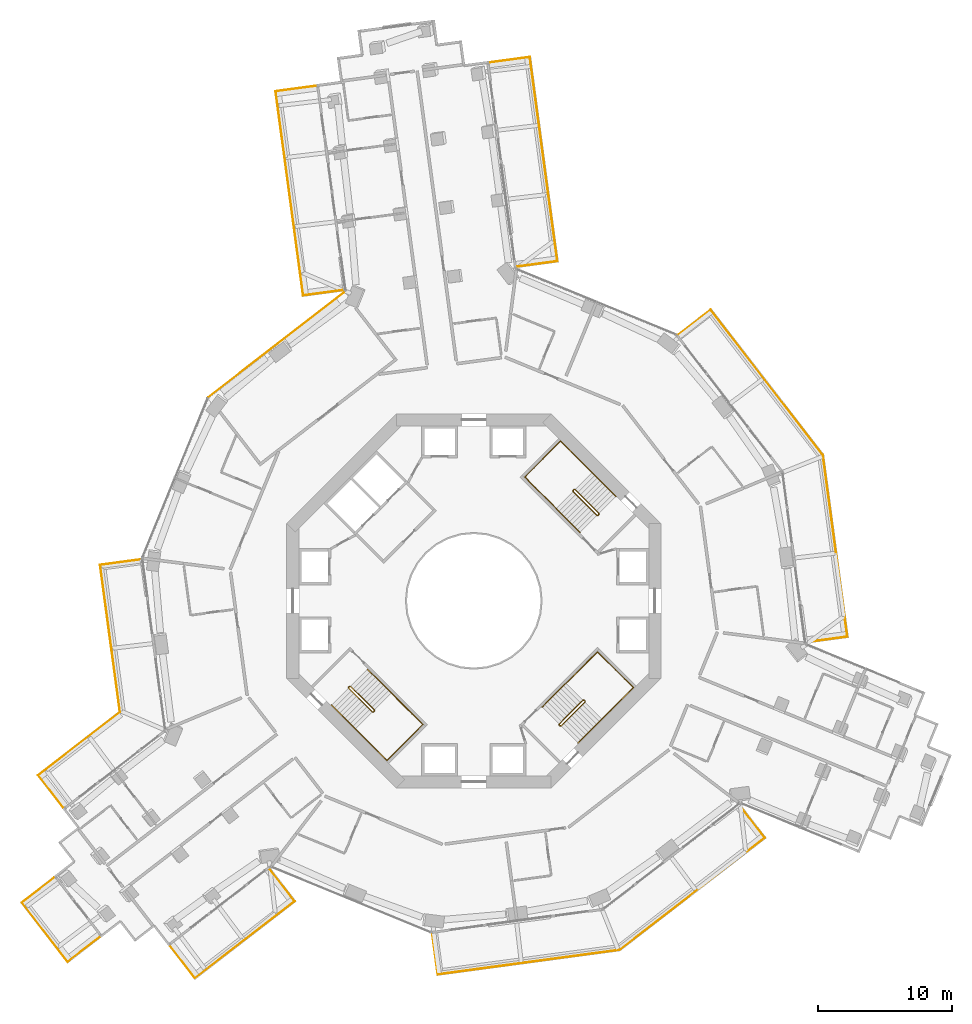
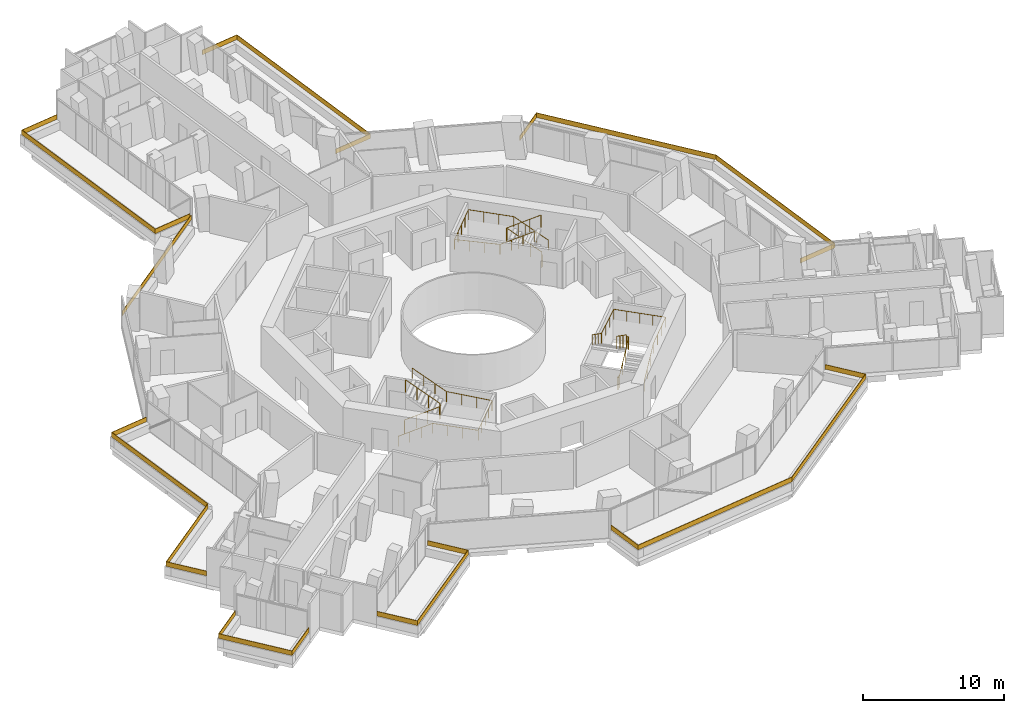
# One storey, part 27 of 27: 14 railings.
"""IFC4 building model written with IfcOpenShell, lengths in metres."""

from ifc_helpers import new_model, si_unit, direction, frame, origin, origin_2d, place, context, subcontext, project, spatial, polyline, rectangle, circle, outline, extrude, material, layer, layer_set, type_object, element, save


model = new_model("IFC4")

# Units and contexts
model_context = context("Model", 3, precision=1e-05, world=origin(), true_north=direction((0.0, 1.0)))
body_context = subcontext(model_context, "Body", "Model", "MODEL_VIEW")
ifc_project = project(units=[si_unit("LENGTHUNIT", "METRE"), si_unit("AREAUNIT", "SQUARE_METRE"), si_unit("VOLUMEUNIT", "CUBIC_METRE"), si_unit("PLANEANGLEUNIT", "RADIAN"), si_unit("MASSUNIT", "GRAM", prefix="KILO")], contexts=[model_context])

# Site, building, storey
site_placement = place(None, origin())
site = spatial("IfcSite", under=ifc_project, at=site_placement, CompositionType="ELEMENT")
building_placement = place(site_placement, origin())
building = spatial("IfcBuilding", under=site, at=building_placement, Name="Verdalira Terraces Hotel", CompositionType="ELEMENT")
storey_placement = place(building_placement, frame((0.0, 0.0, 64.5)))
storey = spatial("IfcBuildingStorey", under=building, at=storey_placement, Name="L14", CompositionType="ELEMENT", Elevation=64.5)

# Railings
ifc_material_1 = material(Name="Laminated glass", Category="glass")
ifc_layer = layer(ifc_material_1, 0.0400390625)
ifc_layer_set = layer_set([ifc_layer], Name="Balcony glass guard 400")
railing_type_1 = type_object("IfcRailingType", Name="Balcony glass guard 400", PredefinedType="GUARDRAIL", material=ifc_layer_set)
railing_1_placement = place(storey_placement, frame((0.0, 0.0, 0.699951)))
element("IfcRailing", 1, at=railing_1_placement, inside=storey, type_object=railing_type_1, Name="Balcony glass guard", PredefinedType="GUARDRAIL", context=body_context, shape_type="SweptSolid", body=[
    extrude(outline(polyline([(-14.807617, 38.122314), (-12.751953, 22.879395), (-9.700684, 23.290771), (-9.695312, 23.251221), (-12.786377, 22.834473), (-14.852539, 38.156738), (-11.761475, 38.573486), (-11.756104, 38.533936), (-14.807617, 38.122314)])), origin(), (0.0, 0.0, 1.0), 0.400146),
])
railing_2_placement = place(storey_placement, frame((0.0, 0.0, 0.699951)))
element("IfcRailing", 2, at=railing_2_placement, inside=storey, type_object=railing_type_1, Name="Balcony glass guard", PredefinedType="GUARDRAIL", context=body_context, shape_type="SweptSolid", body=[
    extrude(outline(polyline([(-27.945801, 2.669189), (-26.462158, -8.333008), (-32.574219, -13.053467), (-30.692139, -15.490234), (-30.723633, -15.514648), (-32.630127, -13.046143), (-26.504883, -8.31543), (-27.990723, 2.703613), (-24.899658, 3.120361), (-24.894287, 3.080811), (-27.945801, 2.669189)])), origin(), (0.0, 0.0, 1.0), 0.400146),
])
railing_3_placement = place(storey_placement, frame((0.0, 0.0, 0.699951)))
element("IfcRailing", 3, at=railing_3_placement, inside=storey, type_object=railing_type_1, Name="Balcony glass guard", PredefinedType="GUARDRAIL", context=body_context, shape_type="SweptSolid", body=[
    extrude(outline(polyline([(-33.799316, -22.591797), (-30.400879, -26.992188), (-27.964111, -25.110107), (-27.939453, -25.141602), (-30.407959, -27.048096), (-33.855469, -22.584473), (-31.386963, -20.677979), (-31.362549, -20.709717), (-33.799316, -22.591797)])), origin(), (0.0, 0.0, 1.0), 0.400146),
])
railing_4_placement = place(storey_placement, frame((0.0, 0.0, 0.699951)))
element("IfcRailing", 4, at=railing_4_placement, inside=storey, type_object=railing_type_1, Name="Balcony glass guard", PredefinedType="GUARDRAIL", context=body_context, shape_type="SweptSolid", body=[
    extrude(outline(polyline([(-20.862549, -28.217285), (-13.438232, -22.483154), (-15.320068, -20.046387), (-15.288574, -20.021973), (-13.38208, -22.490479), (-20.869873, -28.273438), (-22.776367, -25.804932), (-22.744629, -25.780518), (-20.862549, -28.217285)])), origin(), (0.0, 0.0, 1.0), 0.400146),
])
railing_5_placement = place(storey_placement, frame((0.0, 0.0, 0.699951)))
element("IfcRailing", 5, at=railing_5_placement, inside=storey, type_object=railing_type_1, Name="Balcony glass guard", PredefinedType="GUARDRAIL", context=body_context, shape_type="SweptSolid", body=[
    extrude(outline(polyline([(-2.669189, -27.945801), (10.913086, -26.114258), (21.76001, -17.736816), (19.87793, -15.300049), (19.909668, -15.275391), (21.816162, -17.743896), (10.928955, -26.152344), (-2.703613, -27.990723), (-3.120361, -24.899658), (-3.080811, -24.894287), (-2.669189, -27.945801)])), origin(), (0.0, 0.0, 1.0), 0.400146),
])
railing_6_placement = place(storey_placement, frame((0.0, 0.0, 0.699951)))
element("IfcRailing", 6, at=railing_6_placement, inside=storey, type_object=railing_type_1, Name="Balcony glass guard", PredefinedType="GUARDRAIL", context=body_context, shape_type="SweptSolid", body=[
    extrude(outline(polyline([(27.945801, -2.669189), (26.114258, 10.913086), (17.736816, 21.76001), (15.300049, 19.87793), (15.275391, 19.909668), (17.743896, 21.816162), (26.152344, 10.928955), (27.990723, -2.703613), (24.899658, -3.120361), (24.894287, -3.080811), (27.945801, -2.669189)])), origin(), (0.0, 0.0, 1.0), 0.400146),
])
railing_7_placement = place(storey_placement, frame((0.0, 0.0, 0.699951)))
element("IfcRailing", 7, at=railing_7_placement, inside=storey, type_object=railing_type_1, Name="Balcony glass guard", PredefinedType="GUARDRAIL", context=body_context, shape_type="SweptSolid", body=[
    extrude(outline(polyline([(6.236084, 25.439941), (4.180664, 40.682861), (1.12915, 40.271484), (1.123779, 40.311035), (4.214844, 40.727783), (6.281006, 25.405518), (3.190186, 24.98877), (3.184814, 25.028564), (6.236084, 25.439941)])), origin(), (0.0, 0.0, 1.0), 0.400146),
])
railing_8_placement = place(storey_placement, frame((-14.797363, 19.159424, 0.699951), z_axis=(0.0, 0.0, 1.0), x_axis=(-0.791436948, -0.611250814, 0.0)))
element("IfcRailing", 8, at=railing_8_placement, inside=storey, type_object=railing_type_1, Name="Loggia glass guard", PredefinedType="GUARDRAIL", context=body_context, shape_type="SweptSolid", body=[
    extrude(rectangle(XDim=12.840088, YDim=0.040039, at=origin_2d()), origin(), (0.0, 0.0, 1.0), 0.399902),
])
ifc_material_2 = material(Name="Stainless steel", Category="steel")
railing_type_2 = type_object("IfcRailingType", Name="Stair guard 1100", PredefinedType="GUARDRAIL", material=ifc_material_2)
railing_9_placement = place(storey_placement, frame((9.369141, 6.469971, 0.0)))
element("IfcRailing", 9, at=railing_9_placement, inside=storey, type_object=railing_type_2, Name="L14 ST1 stair guard 1", PredefinedType="GUARDRAIL", context=body_context, shape_type="SweptSolid", body=[
    extrude(circle(Radius=0.023926, at=origin_2d()), frame((0.0, 0.0, 1.076172), z_axis=(-0.70832698, -0.705884473, 0.0), x_axis=(0.705884473, -0.70832698, 0.0)), (0.0, 0.0, 1.0), 0.099854),
    extrude(circle(Radius=0.023926, at=origin_2d()), frame((-0.070801, -0.070557, 1.076172), z_axis=(0.300162975, 0.599290904, 0.742127078), x_axis=(-0.894118129, 0.447831187, 0.0)), (0.0, 0.0, 1.0), 0.23584),
    extrude(circle(Radius=0.023926, at=origin_2d()), frame((0.0, 0.070801, 1.250977), z_axis=(-0.599637504, 0.599637504, 0.52997144), x_axis=(-0.707106781, -0.707106781, 0.0)), (0.0, 0.0, 1.0), 2.97168),
    extrude(circle(Radius=0.023926, at=origin_2d()), frame((-1.781982, 1.852783, 2.826172), z_axis=(-1.0, 0.0, 0.0), x_axis=(0.0, -1.0, 0.0)), (0.0, 0.0, 1.0), 0.070557),
    extrude(circle(Radius=0.023926, at=origin_2d()), frame((-1.852539, 1.852783, 2.826172), z_axis=(-0.707106781, -0.707106781, 0.0), x_axis=(0.707106781, -0.707106781, 0.0)), (0.0, 0.0, 1.0), 0.100098),
    extrude(circle(Radius=0.023926, at=origin_2d()), frame((-1.92334, 1.781982, 2.826172), z_axis=(0.0, -0.374954687, 0.92704314), x_axis=(1.0, 0.0, 0.0)), (0.0, 0.0, 1.0), 0.188721),
    extrude(circle(Radius=0.023926, at=origin_2d()), frame((-1.92334, 1.711182, 3.000977), z_axis=(0.599667044, -0.599584886, 0.529997548), x_axis=(0.707058338, 0.707155221, 0.0)), (0.0, 0.0, 1.0), 2.97168),
    extrude(circle(Radius=0.020996, at=origin_2d()), origin(), (0.0, 0.0, 1.0), 1.052002),
    extrude(circle(Radius=0.020996, at=origin_2d()), frame((-0.070801, -0.070557, 0.0)), (0.0, 0.0, 1.0), 1.052002),
    extrude(circle(Radius=0.020996, at=origin_2d()), frame((0.0, 0.070801, 0.175049)), (0.0, 0.0, 1.0), 1.052002),
    extrude(circle(Radius=0.020996, at=origin_2d()), frame((-0.593994, 0.664795, 0.699951)), (0.0, 0.0, 1.0), 1.052002),
    extrude(circle(Radius=0.020996, at=origin_2d()), frame((-1.187988, 1.258789, 1.225098)), (0.0, 0.0, 1.0), 1.052002),
    extrude(circle(Radius=0.020996, at=origin_2d()), frame((-1.781982, 1.852783, 1.75)), (0.0, 0.0, 1.0), 1.052002),
    extrude(circle(Radius=0.020996, at=origin_2d()), frame((-1.852539, 1.852783, 1.75)), (0.0, 0.0, 1.0), 1.052002),
    extrude(circle(Radius=0.020996, at=origin_2d()), frame((-1.92334, 1.781982, 1.75)), (0.0, 0.0, 1.0), 1.052002),
    extrude(circle(Radius=0.020996, at=origin_2d()), frame((-1.92334, 1.711182, 1.925049)), (0.0, 0.0, 1.0), 1.052002),
    extrude(circle(Radius=0.020996, at=origin_2d()), frame((-1.329346, 1.117188, 2.449951)), (0.0, 0.0, 1.0), 1.052002),
    extrude(circle(Radius=0.020996, at=origin_2d()), frame((-0.735352, 0.523438, 2.975098)), (0.0, 0.0, 1.0), 1.052002),
    extrude(circle(Radius=0.020996, at=origin_2d()), frame((-0.141357, -0.070557, 3.5)), (0.0, 0.0, 1.0), 1.052002),
])
railing_10_placement = place(storey_placement, frame((-9.369141, -6.469971, 0.0)))
element("IfcRailing", 10, at=railing_10_placement, inside=storey, type_object=railing_type_2, Name="L14 ST2 stair guard 1", PredefinedType="GUARDRAIL", context=body_context, shape_type="SweptSolid", body=[
    extrude(circle(Radius=0.023926, at=origin_2d()), frame((0.0, 0.0, 1.076172), z_axis=(0.70832698, 0.705884473, 0.0), x_axis=(-0.705884473, 0.70832698, 0.0)), (0.0, 0.0, 1.0), 0.099854),
    extrude(circle(Radius=0.023926, at=origin_2d()), frame((0.070801, 0.070557, 1.076172), z_axis=(-0.300162975, -0.599290904, 0.742127078), x_axis=(0.894118129, -0.447831187, 0.0)), (0.0, 0.0, 1.0), 0.23584),
    extrude(circle(Radius=0.023926, at=origin_2d()), frame((0.0, -0.070801, 1.250977), z_axis=(0.599637504, -0.599637504, 0.52997144), x_axis=(0.707106781, 0.707106781, 0.0)), (0.0, 0.0, 1.0), 2.97168),
    extrude(circle(Radius=0.023926, at=origin_2d()), frame((1.781982, -1.852783, 2.826172), z_axis=(1.0, 0.0, 0.0), x_axis=(0.0, 1.0, 0.0)), (0.0, 0.0, 1.0), 0.070557),
    extrude(circle(Radius=0.023926, at=origin_2d()), frame((1.852539, -1.852783, 2.826172), z_axis=(0.707106781, 0.707106781, 0.0), x_axis=(-0.707106781, 0.707106781, 0.0)), (0.0, 0.0, 1.0), 0.100098),
    extrude(circle(Radius=0.023926, at=origin_2d()), frame((1.92334, -1.781982, 2.826172), z_axis=(0.0, 0.374954687, 0.92704314), x_axis=(-1.0, 0.0, 0.0)), (0.0, 0.0, 1.0), 0.188721),
    extrude(circle(Radius=0.023926, at=origin_2d()), frame((1.92334, -1.711182, 3.000977), z_axis=(-0.599667044, 0.599584886, 0.529997548), x_axis=(-0.707058338, -0.707155221, 0.0)), (0.0, 0.0, 1.0), 2.97168),
    extrude(circle(Radius=0.020996, at=origin_2d()), origin(), (0.0, 0.0, 1.0), 1.052002),
    extrude(circle(Radius=0.020996, at=origin_2d()), frame((0.070801, 0.070557, 0.0)), (0.0, 0.0, 1.0), 1.052002),
    extrude(circle(Radius=0.020996, at=origin_2d()), frame((0.0, -0.070801, 0.175049)), (0.0, 0.0, 1.0), 1.052002),
    extrude(circle(Radius=0.020996, at=origin_2d()), frame((0.593994, -0.664795, 0.699951)), (0.0, 0.0, 1.0), 1.052002),
    extrude(circle(Radius=0.020996, at=origin_2d()), frame((1.187988, -1.258789, 1.225098)), (0.0, 0.0, 1.0), 1.052002),
    extrude(circle(Radius=0.020996, at=origin_2d()), frame((1.781982, -1.852783, 1.75)), (0.0, 0.0, 1.0), 1.052002),
    extrude(circle(Radius=0.020996, at=origin_2d()), frame((1.852539, -1.852783, 1.75)), (0.0, 0.0, 1.0), 1.052002),
    extrude(circle(Radius=0.020996, at=origin_2d()), frame((1.92334, -1.781982, 1.75)), (0.0, 0.0, 1.0), 1.052002),
    extrude(circle(Radius=0.020996, at=origin_2d()), frame((1.92334, -1.711182, 1.925049)), (0.0, 0.0, 1.0), 1.052002),
    extrude(circle(Radius=0.020996, at=origin_2d()), frame((1.329346, -1.117188, 2.449951)), (0.0, 0.0, 1.0), 1.052002),
    extrude(circle(Radius=0.020996, at=origin_2d()), frame((0.735352, -0.523438, 2.975098)), (0.0, 0.0, 1.0), 1.052002),
    extrude(circle(Radius=0.020996, at=origin_2d()), frame((0.141357, 0.070557, 3.5)), (0.0, 0.0, 1.0), 1.052002),
])
railing_11_placement = place(storey_placement, frame((6.469971, -9.369141, 0.0)))
element("IfcRailing", 11, at=railing_11_placement, inside=storey, type_object=railing_type_2, Name="L14 ST3 stair guard 1", PredefinedType="GUARDRAIL", context=body_context, shape_type="SweptSolid", body=[
    extrude(circle(Radius=0.023926, at=origin_2d()), frame((0.0, 0.0, 1.076172), z_axis=(-0.705884473, 0.70832698, 0.0), x_axis=(-0.70832698, -0.705884473, 0.0)), (0.0, 0.0, 1.0), 0.099854),
    extrude(circle(Radius=0.023926, at=origin_2d()), frame((-0.070557, 0.070801, 1.076172), z_axis=(0.599290904, -0.300162975, 0.742127078), x_axis=(0.447831187, 0.894118129, 0.0)), (0.0, 0.0, 1.0), 0.23584),
    extrude(circle(Radius=0.023926, at=origin_2d()), frame((0.070801, 0.0, 1.250977), z_axis=(0.599637504, 0.599637504, 0.52997144), x_axis=(-0.707106781, 0.707106781, 0.0)), (0.0, 0.0, 1.0), 2.97168),
    extrude(circle(Radius=0.023926, at=origin_2d()), frame((1.852783, 1.781982, 2.826172), z_axis=(0.0, 1.0, 0.0), x_axis=(-1.0, 0.0, 0.0)), (0.0, 0.0, 1.0), 0.070557),
    extrude(circle(Radius=0.023926, at=origin_2d()), frame((1.852783, 1.852539, 2.826172), z_axis=(-0.707106781, 0.707106781, 0.0), x_axis=(-0.707106781, -0.707106781, 0.0)), (0.0, 0.0, 1.0), 0.100098),
    extrude(circle(Radius=0.023926, at=origin_2d()), frame((1.781982, 1.92334, 2.826172), z_axis=(-0.374954687, 0.0, 0.92704314), x_axis=(0.0, -1.0, 0.0)), (0.0, 0.0, 1.0), 0.188721),
    extrude(circle(Radius=0.023926, at=origin_2d()), frame((1.711182, 1.92334, 3.000977), z_axis=(-0.599584886, -0.599667044, 0.529997548), x_axis=(0.707155221, -0.707058338, 0.0)), (0.0, 0.0, 1.0), 2.97168),
    extrude(circle(Radius=0.020996, at=origin_2d()), origin(), (0.0, 0.0, 1.0), 1.052002),
    extrude(circle(Radius=0.020996, at=origin_2d()), frame((-0.070557, 0.070801, 0.0)), (0.0, 0.0, 1.0), 1.052002),
    extrude(circle(Radius=0.020996, at=origin_2d()), frame((0.070801, 0.0, 0.175049)), (0.0, 0.0, 1.0), 1.052002),
    extrude(circle(Radius=0.020996, at=origin_2d()), frame((0.664795, 0.593994, 0.699951)), (0.0, 0.0, 1.0), 1.052002),
    extrude(circle(Radius=0.020996, at=origin_2d()), frame((1.258789, 1.187988, 1.225098)), (0.0, 0.0, 1.0), 1.052002),
    extrude(circle(Radius=0.020996, at=origin_2d()), frame((1.852783, 1.781982, 1.75)), (0.0, 0.0, 1.0), 1.052002),
    extrude(circle(Radius=0.020996, at=origin_2d()), frame((1.852783, 1.852539, 1.75)), (0.0, 0.0, 1.0), 1.052002),
    extrude(circle(Radius=0.020996, at=origin_2d()), frame((1.781982, 1.92334, 1.75)), (0.0, 0.0, 1.0), 1.052002),
    extrude(circle(Radius=0.020996, at=origin_2d()), frame((1.711182, 1.92334, 1.925049)), (0.0, 0.0, 1.0), 1.052002),
    extrude(circle(Radius=0.020996, at=origin_2d()), frame((1.117188, 1.329346, 2.449951)), (0.0, 0.0, 1.0), 1.052002),
    extrude(circle(Radius=0.020996, at=origin_2d()), frame((0.523438, 0.735352, 2.975098)), (0.0, 0.0, 1.0), 1.052002),
    extrude(circle(Radius=0.020996, at=origin_2d()), frame((-0.070557, 0.141357, 3.5)), (0.0, 0.0, 1.0), 1.052002),
])
ifc_material_3 = material(Name="Stainless steel", Category="steel")
railing_type_3 = type_object("IfcRailingType", Name="Stair handrail 900", PredefinedType="HANDRAIL", material=ifc_material_3)
railing_12_placement = place(storey_placement, frame((10.641846, 7.813477, 0.175049)))
element("IfcRailing", 12, at=railing_12_placement, inside=storey, type_object=railing_type_3, Name="L14 ST1 stair handrail 1", PredefinedType="HANDRAIL", context=body_context, shape_type="SweptSolid", body=[
    extrude(circle(Radius=0.023926, at=origin_2d()), frame((0.0, 0.0, 0.875977), z_axis=(-0.599584886, 0.599667044, 0.529997548), x_axis=(-0.707155221, -0.707058338, 0.0)), (0.0, 0.0, 1.0), 2.97168),
    extrude(circle(Radius=0.023926, at=origin_2d()), frame((-1.781738, 1.781982, 2.450684), z_axis=(-0.707106781, 0.707106781, 0.0), x_axis=(-0.707106781, -0.707106781, 0.0)), (0.0, 0.0, 1.0), 3.330078),
    extrude(circle(Radius=0.023926, at=origin_2d()), frame((-4.136475, 4.136719, 2.450684), z_axis=(-0.707106781, -0.707106781, 0.0), x_axis=(0.707106781, -0.707106781, 0.0)), (0.0, 0.0, 1.0), 3.800049),
    extrude(circle(Radius=0.023926, at=origin_2d()), frame((-6.823486, 1.449707, 2.450684), z_axis=(0.706131881, -0.706131881, 0.052493163), x_axis=(0.707106781, 0.707106781, 0.0)), (0.0, 0.0, 1.0), 3.334717),
    extrude(circle(Radius=0.023926, at=origin_2d()), frame((-4.46875, -0.905029, 2.625977), z_axis=(0.599584886, -0.599667044, 0.529997548), x_axis=(0.707155221, 0.707058338, 0.0)), (0.0, 0.0, 1.0), 2.97168),
    extrude(circle(Radius=0.020996, at=origin_2d()), origin(), (0.0, 0.0, 1.0), 0.851807),
    extrude(circle(Radius=0.020996, at=origin_2d()), frame((-0.593994, 0.593994, 0.524902)), (0.0, 0.0, 1.0), 0.851807),
    extrude(circle(Radius=0.020996, at=origin_2d()), frame((-1.187744, 1.187988, 1.050049)), (0.0, 0.0, 1.0), 0.851807),
    extrude(circle(Radius=0.020996, at=origin_2d()), frame((-1.781738, 1.781982, 1.574951)), (0.0, 0.0, 1.0), 0.851807),
    extrude(circle(Radius=0.020996, at=origin_2d()), frame((-2.56665, 2.566895, 1.574951)), (0.0, 0.0, 1.0), 0.851807),
    extrude(circle(Radius=0.020996, at=origin_2d()), frame((-3.351562, 3.351807, 1.574951)), (0.0, 0.0, 1.0), 0.851807),
    extrude(circle(Radius=0.020996, at=origin_2d()), frame((-4.136475, 4.136719, 1.574951)), (0.0, 0.0, 1.0), 0.851807),
    extrude(circle(Radius=0.020996, at=origin_2d()), frame((-4.808105, 3.464844, 1.574951)), (0.0, 0.0, 1.0), 0.851807),
    extrude(circle(Radius=0.020996, at=origin_2d()), frame((-5.47998, 2.793213, 1.574951)), (0.0, 0.0, 1.0), 0.851807),
    extrude(circle(Radius=0.020996, at=origin_2d()), frame((-6.151855, 2.121582, 1.574951)), (0.0, 0.0, 1.0), 0.851807),
    extrude(circle(Radius=0.020996, at=origin_2d()), frame((-6.823486, 1.449707, 1.574951)), (0.0, 0.0, 1.0), 0.851807),
    extrude(circle(Radius=0.020996, at=origin_2d()), frame((-6.038574, 0.664795, 1.633301)), (0.0, 0.0, 1.0), 0.851807),
    extrude(circle(Radius=0.020996, at=origin_2d()), frame((-5.253662, -0.120117, 1.69165)), (0.0, 0.0, 1.0), 0.851807),
    extrude(circle(Radius=0.020996, at=origin_2d()), frame((-4.46875, -0.905029, 1.75)), (0.0, 0.0, 1.0), 0.851807),
    extrude(circle(Radius=0.020996, at=origin_2d()), frame((-3.874756, -1.499023, 2.274902)), (0.0, 0.0, 1.0), 0.851807),
    extrude(circle(Radius=0.020996, at=origin_2d()), frame((-3.281006, -2.093018, 2.800049)), (0.0, 0.0, 1.0), 0.851807),
    extrude(circle(Radius=0.020996, at=origin_2d()), frame((-2.687012, -2.687012, 3.324951)), (0.0, 0.0, 1.0), 0.851807),
])
railing_13_placement = place(storey_placement, frame((-10.641846, -7.813477, 0.175049)))
element("IfcRailing", 13, at=railing_13_placement, inside=storey, type_object=railing_type_3, Name="L14 ST2 stair handrail 1", PredefinedType="HANDRAIL", context=body_context, shape_type="SweptSolid", body=[
    extrude(circle(Radius=0.023926, at=origin_2d()), frame((0.0, 0.0, 0.875977), z_axis=(0.599584886, -0.599667044, 0.529997548), x_axis=(0.707155221, 0.707058338, 0.0)), (0.0, 0.0, 1.0), 2.97168),
    extrude(circle(Radius=0.023926, at=origin_2d()), frame((1.781738, -1.781982, 2.450684), z_axis=(0.707106781, -0.707106781, 0.0), x_axis=(0.707106781, 0.707106781, 0.0)), (0.0, 0.0, 1.0), 3.330078),
    extrude(circle(Radius=0.023926, at=origin_2d()), frame((4.136475, -4.136719, 2.450684), z_axis=(0.707106781, 0.707106781, 0.0), x_axis=(-0.707106781, 0.707106781, 0.0)), (0.0, 0.0, 1.0), 3.800049),
    extrude(circle(Radius=0.023926, at=origin_2d()), frame((6.823486, -1.449707, 2.450684), z_axis=(-0.706131881, 0.706131881, 0.052493163), x_axis=(-0.707106781, -0.707106781, 0.0)), (0.0, 0.0, 1.0), 3.334717),
    extrude(circle(Radius=0.023926, at=origin_2d()), frame((4.46875, 0.905029, 2.625977), z_axis=(-0.599584886, 0.599667044, 0.529997548), x_axis=(-0.707155221, -0.707058338, 0.0)), (0.0, 0.0, 1.0), 2.97168),
    extrude(circle(Radius=0.020996, at=origin_2d()), origin(), (0.0, 0.0, 1.0), 0.851807),
    extrude(circle(Radius=0.020996, at=origin_2d()), frame((0.593994, -0.593994, 0.524902)), (0.0, 0.0, 1.0), 0.851807),
    extrude(circle(Radius=0.020996, at=origin_2d()), frame((1.187744, -1.187988, 1.050049)), (0.0, 0.0, 1.0), 0.851807),
    extrude(circle(Radius=0.020996, at=origin_2d()), frame((1.781738, -1.781982, 1.574951)), (0.0, 0.0, 1.0), 0.851807),
    extrude(circle(Radius=0.020996, at=origin_2d()), frame((2.56665, -2.566895, 1.574951)), (0.0, 0.0, 1.0), 0.851807),
    extrude(circle(Radius=0.020996, at=origin_2d()), frame((3.351562, -3.351807, 1.574951)), (0.0, 0.0, 1.0), 0.851807),
    extrude(circle(Radius=0.020996, at=origin_2d()), frame((4.136475, -4.136719, 1.574951)), (0.0, 0.0, 1.0), 0.851807),
    extrude(circle(Radius=0.020996, at=origin_2d()), frame((4.808105, -3.464844, 1.574951)), (0.0, 0.0, 1.0), 0.851807),
    extrude(circle(Radius=0.020996, at=origin_2d()), frame((5.47998, -2.793213, 1.574951)), (0.0, 0.0, 1.0), 0.851807),
    extrude(circle(Radius=0.020996, at=origin_2d()), frame((6.151855, -2.121582, 1.574951)), (0.0, 0.0, 1.0), 0.851807),
    extrude(circle(Radius=0.020996, at=origin_2d()), frame((6.823486, -1.449707, 1.574951)), (0.0, 0.0, 1.0), 0.851807),
    extrude(circle(Radius=0.020996, at=origin_2d()), frame((6.038574, -0.664795, 1.633301)), (0.0, 0.0, 1.0), 0.851807),
    extrude(circle(Radius=0.020996, at=origin_2d()), frame((5.253662, 0.120117, 1.69165)), (0.0, 0.0, 1.0), 0.851807),
    extrude(circle(Radius=0.020996, at=origin_2d()), frame((4.46875, 0.905029, 1.75)), (0.0, 0.0, 1.0), 0.851807),
    extrude(circle(Radius=0.020996, at=origin_2d()), frame((3.874756, 1.499023, 2.274902)), (0.0, 0.0, 1.0), 0.851807),
    extrude(circle(Radius=0.020996, at=origin_2d()), frame((3.281006, 2.093018, 2.800049)), (0.0, 0.0, 1.0), 0.851807),
    extrude(circle(Radius=0.020996, at=origin_2d()), frame((2.687012, 2.687012, 3.324951)), (0.0, 0.0, 1.0), 0.851807),
])
railing_14_placement = place(storey_placement, frame((7.813477, -10.641846, 0.175049)))
element("IfcRailing", 14, at=railing_14_placement, inside=storey, type_object=railing_type_3, Name="L14 ST3 stair handrail 1", PredefinedType="HANDRAIL", context=body_context, shape_type="SweptSolid", body=[
    extrude(circle(Radius=0.023926, at=origin_2d()), frame((0.0, 0.0, 0.875977), z_axis=(0.599667044, 0.599584886, 0.529997548), x_axis=(-0.707058338, 0.707155221, 0.0)), (0.0, 0.0, 1.0), 2.97168),
    extrude(circle(Radius=0.023926, at=origin_2d()), frame((1.781982, 1.781738, 2.450684), z_axis=(0.707106781, 0.707106781, 0.0), x_axis=(-0.707106781, 0.707106781, 0.0)), (0.0, 0.0, 1.0), 3.330078),
    extrude(circle(Radius=0.023926, at=origin_2d()), frame((4.136719, 4.136475, 2.450684), z_axis=(-0.707106781, 0.707106781, 0.0), x_axis=(-0.707106781, -0.707106781, 0.0)), (0.0, 0.0, 1.0), 3.800049),
    extrude(circle(Radius=0.023926, at=origin_2d()), frame((1.449707, 6.823486, 2.450684), z_axis=(-0.706131881, -0.706131881, 0.052493163), x_axis=(0.707106781, -0.707106781, 0.0)), (0.0, 0.0, 1.0), 3.334717),
    extrude(circle(Radius=0.023926, at=origin_2d()), frame((-0.905029, 4.46875, 2.625977), z_axis=(-0.599667044, -0.599584886, 0.529997548), x_axis=(0.707058338, -0.707155221, 0.0)), (0.0, 0.0, 1.0), 2.97168),
    extrude(circle(Radius=0.020996, at=origin_2d()), origin(), (0.0, 0.0, 1.0), 0.851807),
    extrude(circle(Radius=0.020996, at=origin_2d()), frame((0.593994, 0.593994, 0.524902)), (0.0, 0.0, 1.0), 0.851807),
    extrude(circle(Radius=0.020996, at=origin_2d()), frame((1.187988, 1.187744, 1.050049)), (0.0, 0.0, 1.0), 0.851807),
    extrude(circle(Radius=0.020996, at=origin_2d()), frame((1.781982, 1.781738, 1.574951)), (0.0, 0.0, 1.0), 0.851807),
    extrude(circle(Radius=0.020996, at=origin_2d()), frame((2.566895, 2.56665, 1.574951)), (0.0, 0.0, 1.0), 0.851807),
    extrude(circle(Radius=0.020996, at=origin_2d()), frame((3.351807, 3.351562, 1.574951)), (0.0, 0.0, 1.0), 0.851807),
    extrude(circle(Radius=0.020996, at=origin_2d()), frame((4.136719, 4.136475, 1.574951)), (0.0, 0.0, 1.0), 0.851807),
    extrude(circle(Radius=0.020996, at=origin_2d()), frame((3.464844, 4.808105, 1.574951)), (0.0, 0.0, 1.0), 0.851807),
    extrude(circle(Radius=0.020996, at=origin_2d()), frame((2.793213, 5.47998, 1.574951)), (0.0, 0.0, 1.0), 0.851807),
    extrude(circle(Radius=0.020996, at=origin_2d()), frame((2.121582, 6.151855, 1.574951)), (0.0, 0.0, 1.0), 0.851807),
    extrude(circle(Radius=0.020996, at=origin_2d()), frame((1.449707, 6.823486, 1.574951)), (0.0, 0.0, 1.0), 0.851807),
    extrude(circle(Radius=0.020996, at=origin_2d()), frame((0.664795, 6.038574, 1.633301)), (0.0, 0.0, 1.0), 0.851807),
    extrude(circle(Radius=0.020996, at=origin_2d()), frame((-0.120117, 5.253662, 1.69165)), (0.0, 0.0, 1.0), 0.851807),
    extrude(circle(Radius=0.020996, at=origin_2d()), frame((-0.905029, 4.46875, 1.75)), (0.0, 0.0, 1.0), 0.851807),
    extrude(circle(Radius=0.020996, at=origin_2d()), frame((-1.499023, 3.874756, 2.274902)), (0.0, 0.0, 1.0), 0.851807),
    extrude(circle(Radius=0.020996, at=origin_2d()), frame((-2.093018, 3.281006, 2.800049)), (0.0, 0.0, 1.0), 0.851807),
    extrude(circle(Radius=0.020996, at=origin_2d()), frame((-2.687012, 2.687012, 3.324951)), (0.0, 0.0, 1.0), 0.851807),
])

save(model, "model.ifc")
